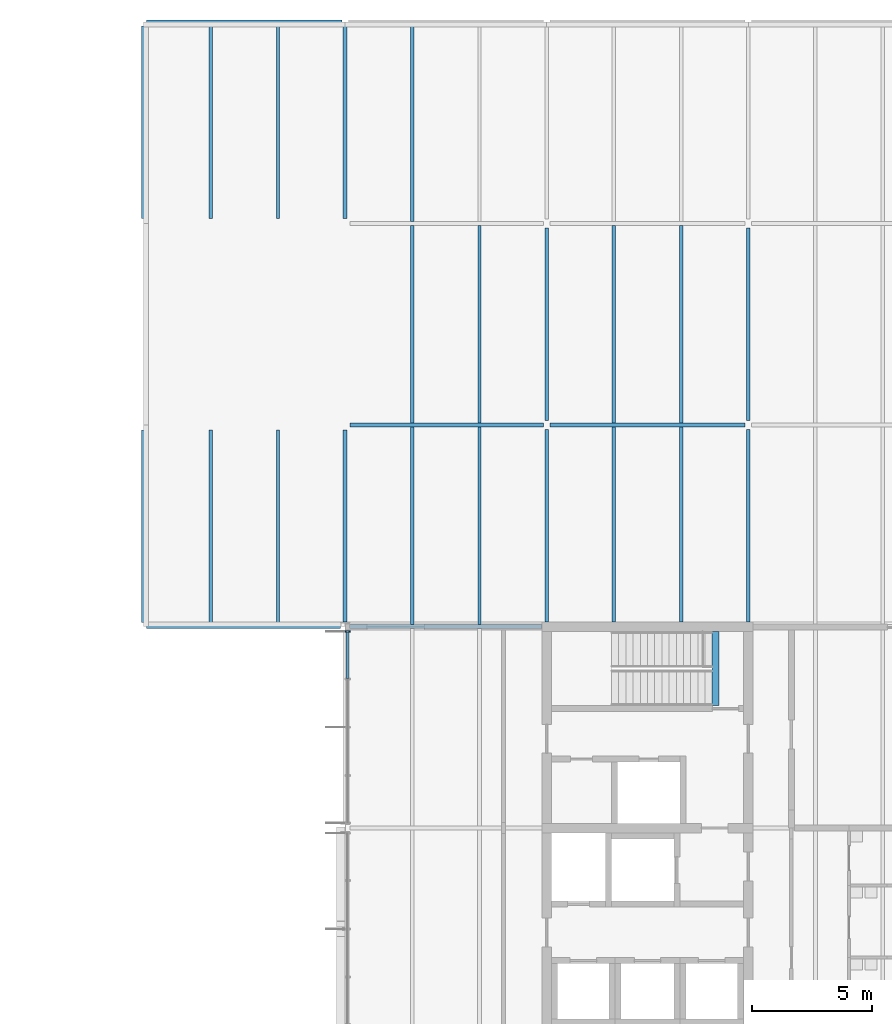
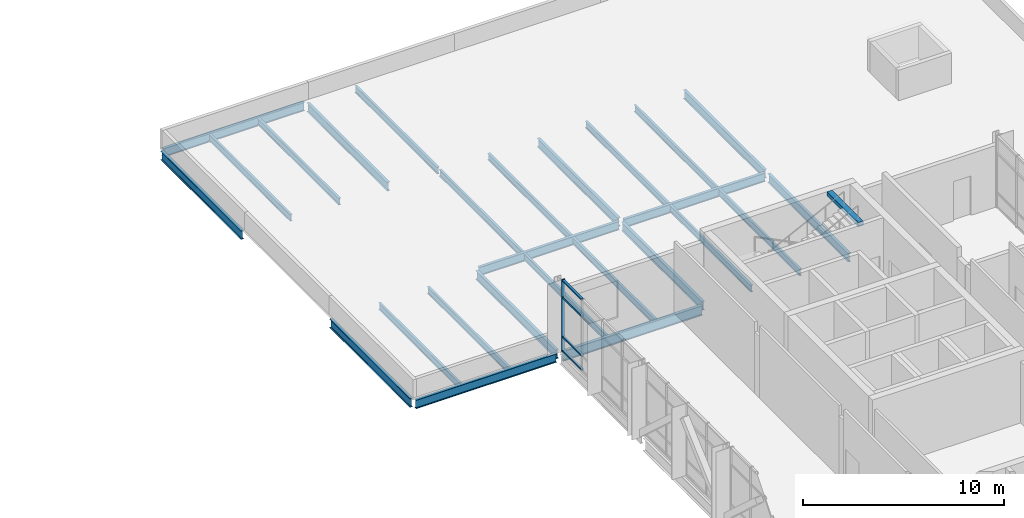
# One storey, part 9 of 26: 27 beams, 5 members, 1 element without a shape of its own.
"""IFC4 building model written with IfcOpenShell, lengths in metres."""

from ifc_helpers import new_model, si_unit, direction, frame, origin, origin_2d, place, context, subcontext, project, spatial, rectangle, i_section, extrude, material, material_profile, profile_set, type_object, element, aggregate, save


model = new_model("IFC4")

# Units and contexts
model_context = context("Model", 3, precision=1e-05, world=origin(), true_north=direction((0.0, 1.0)))
body_context = subcontext(model_context, "Body", "Model", "MODEL_VIEW")
ifc_project = project(units=[si_unit("LENGTHUNIT", "METRE"), si_unit("AREAUNIT", "SQUARE_METRE"), si_unit("VOLUMEUNIT", "CUBIC_METRE"), si_unit("PLANEANGLEUNIT", "RADIAN"), si_unit("MASSUNIT", "GRAM", prefix="KILO")], contexts=[model_context])

# Site, building, storey
site_placement = place(None, origin())
site = spatial("IfcSite", under=ifc_project, at=site_placement, CompositionType="ELEMENT")
building_placement = place(site_placement, origin())
building = spatial("IfcBuilding", under=site, at=building_placement, Name="Hlaing Beacon Police Headquarters", CompositionType="ELEMENT")
storey_placement = place(building_placement, frame((0.0, 0.0, 23.39990234375)))
storey = spatial("IfcBuildingStorey", under=building, at=storey_placement, Name="L05", CompositionType="ELEMENT", Elevation=23.39990234375)

# Beams
ifc_material_1 = material(Name="Steel ASTM A992 Grade 50", Category="steel")
ifc_material_profile_1 = material_profile(ifc_material_1, i_section(OverallWidth=0.1650390625, OverallDepth=0.52587890625, WebThickness=0.0087890625, FlangeThickness=0.011474609375, FilletRadius=0.0126953125, at=origin_2d()), Name="W21x44")
ifc_profile_set_1 = profile_set([ifc_material_profile_1], Name="Steel ASTM A992 Grade 50")
beam_type_1 = type_object("IfcBeamType", Name="Girder W21x44", PredefinedType="BEAM", material=ifc_profile_set_1)
beam_1_placement = place(storey_placement, frame((92.527099609375, 67.199951171875, -0.392822265625), z_axis=(1.0, 0.0, 0.0), x_axis=(0.0, 1.0, 0.0)))
element("IfcBeam", 1, at=beam_1_placement, inside=storey, type_object=beam_type_1, Name="STR-BM-L05-GX-M9-N9", PredefinedType="BEAM", context=body_context, shape_type="SweptSolid", body=[
    extrude(i_section(OverallWidth=0.1650390625, OverallDepth=0.52587890625, WebThickness=0.0087890625, FlangeThickness=0.011474609375, FilletRadius=0.0126953125, at=origin_2d()), origin(), (0.0, 0.0, 1.0), 8.0859375),
])
beam_2_placement = place(storey_placement, frame((101.0, 75.60009765625, -0.392822265625), z_axis=(1.0, 0.0, 0.0), x_axis=(0.0, 1.0, 0.0)))
element("IfcBeam", 2, at=beam_2_placement, inside=storey, type_object=beam_type_1, Name="STR-BM-L05-GX-N10-P10", PredefinedType="BEAM", context=body_context, shape_type="SweptSolid", body=[
    extrude(i_section(OverallWidth=0.1650390625, OverallDepth=0.52587890625, WebThickness=0.0087890625, FlangeThickness=0.011474609375, FilletRadius=0.0126953125, at=origin_2d()), origin(), (0.0, 0.0, 1.0), 8.072021484375),
])
beam_3_placement = place(storey_placement, frame((109.327880859375, 75.60009765625, -0.392822265625), z_axis=(1.0, 0.0, 0.0), x_axis=(0.0, 1.0, 0.0)))
element("IfcBeam", 3, at=beam_3_placement, inside=storey, type_object=beam_type_1, Name="STR-BM-L05-GX-P10-Q10", PredefinedType="BEAM", context=body_context, shape_type="SweptSolid", body=[
    extrude(i_section(OverallWidth=0.1650390625, OverallDepth=0.52587890625, WebThickness=0.0087890625, FlangeThickness=0.011474609375, FilletRadius=0.0126953125, at=origin_2d()), origin(), (0.0, 0.0, 1.0), 8.14404296875),
])
beam_4_placement = place(storey_placement, frame((92.527099609375, 92.39990234375, -0.392822265625), z_axis=(1.0, 0.0, 0.0), x_axis=(0.0, 1.0, 0.0)))
element("IfcBeam", 4, at=beam_4_placement, inside=storey, type_object=beam_type_1, Name="STR-BM-L05-GX-M12-N12", PredefinedType="BEAM", context=body_context, shape_type="SweptSolid", body=[
    extrude(i_section(OverallWidth=0.1650390625, OverallDepth=0.52587890625, WebThickness=0.0087890625, FlangeThickness=0.011474609375, FilletRadius=0.0126953125, at=origin_2d()), origin(), (0.0, 0.0, 1.0), 8.14599609375),
])
for number, where, z_axis, x_axis, name in (
    (5, (92.39990234375, 67.376953125, -0.392822265625), (0.0, 1.0, 0.0), (-1.0, 0.0, 0.0), "STR-BM-L05-GY-M9-M10"),
    (6, (92.39990234375, 84.199951171875, -0.392822265625), (0.0, 1.0, 0.0), (-1.0, 0.0, 0.0), "STR-BM-L05-GY-M11-M12"),
):
    element("IfcBeam", number, at=place(storey_placement, frame(where, z_axis=z_axis, x_axis=x_axis)), inside=storey, type_object=beam_type_1, Name=name, PredefinedType="BEAM", context=body_context, shape_type="SweptSolid", body=[
        extrude(i_section(OverallWidth=0.1650390625, OverallDepth=0.52587890625, WebThickness=0.0087890625, FlangeThickness=0.011474609375, FilletRadius=0.0126953125, at=origin_2d()), origin(), (0.0, 0.0, 1.0), 8.02294921875),
    ])
beam_5_placement = place(storey_placement, frame((100.800048828125, 67.384033203125, -0.392822265625), z_axis=(0.0, 1.0, 0.0), x_axis=(-1.0, 0.0, 0.0)))
element("IfcBeam", 7, at=beam_5_placement, inside=storey, type_object=beam_type_1, Name="STR-BM-L05-GY-N9-N10", PredefinedType="BEAM", context=body_context, shape_type="SweptSolid", body=[
    extrude(i_section(OverallWidth=0.1650390625, OverallDepth=0.52587890625, WebThickness=0.0087890625, FlangeThickness=0.011474609375, FilletRadius=0.0126953125, at=origin_2d()), origin(), (0.0, 0.0, 1.0), 8.015869140625),
])
beam_6_placement = place(storey_placement, frame((100.800048828125, 84.199951171875, -0.392822265625), z_axis=(0.0, 1.0, 0.0), x_axis=(-1.0, 0.0, 0.0)))
element("IfcBeam", 8, at=beam_6_placement, inside=storey, type_object=beam_type_1, Name="STR-BM-L05-GY-N11-N12", PredefinedType="BEAM", context=body_context, shape_type="SweptSolid", body=[
    extrude(i_section(OverallWidth=0.1650390625, OverallDepth=0.52587890625, WebThickness=0.0087890625, FlangeThickness=0.011474609375, FilletRadius=0.0126953125, at=origin_2d()), origin(), (0.0, 0.0, 1.0), 8.02294921875),
])
beam_7_placement = place(storey_placement, frame((109.199951171875, 67.39990234375, -0.392822265625), z_axis=(0.0, 1.0, 0.0), x_axis=(-1.0, 0.0, 0.0)))
element("IfcBeam", 9, at=beam_7_placement, inside=storey, type_object=beam_type_1, Name="STR-BM-L05-GY-P9-P10", PredefinedType="BEAM", context=body_context, shape_type="SweptSolid", body=[
    extrude(i_section(OverallWidth=0.1650390625, OverallDepth=0.52587890625, WebThickness=0.0087890625, FlangeThickness=0.011474609375, FilletRadius=0.0126953125, at=origin_2d()), origin(), (0.0, 0.0, 1.0), 8.02001953125),
])
beam_8_placement = place(storey_placement, frame((109.199951171875, 75.780029296875, -0.392822265625), z_axis=(0.0, 1.0, 0.0), x_axis=(-1.0, 0.0, 0.0)))
element("IfcBeam", 10, at=beam_8_placement, inside=storey, type_object=beam_type_1, Name="STR-BM-L05-GY-P10-P11", PredefinedType="BEAM", context=body_context, shape_type="SweptSolid", body=[
    extrude(i_section(OverallWidth=0.1650390625, OverallDepth=0.52587890625, WebThickness=0.0087890625, FlangeThickness=0.011474609375, FilletRadius=0.0126953125, at=origin_2d()), origin(), (0.0, 0.0, 1.0), 8.0400390625),
])
beam_9_placement = place(storey_placement, frame((117.60009765625, 67.39990234375, -0.392822265625), z_axis=(0.0, 1.0, 0.0), x_axis=(-1.0, 0.0, 0.0)))
element("IfcBeam", 11, at=beam_9_placement, inside=storey, type_object=beam_type_1, Name="STR-BM-L05-GY-Q9-Q10", PredefinedType="BEAM", context=body_context, shape_type="SweptSolid", body=[
    extrude(i_section(OverallWidth=0.1650390625, OverallDepth=0.52587890625, WebThickness=0.0087890625, FlangeThickness=0.011474609375, FilletRadius=0.0126953125, at=origin_2d()), origin(), (0.0, 0.0, 1.0), 8.02001953125),
])
beam_10_placement = place(storey_placement, frame((117.60009765625, 75.780029296875, -0.392822265625), z_axis=(0.0, 1.0, 0.0), x_axis=(-1.0, 0.0, 0.0)))
element("IfcBeam", 12, at=beam_10_placement, inside=storey, type_object=beam_type_1, Name="STR-BM-L05-GY-Q10-Q11", PredefinedType="BEAM", context=body_context, shape_type="SweptSolid", body=[
    extrude(i_section(OverallWidth=0.1650390625, OverallDepth=0.52587890625, WebThickness=0.0087890625, FlangeThickness=0.011474609375, FilletRadius=0.0126953125, at=origin_2d()), origin(), (0.0, 0.0, 1.0), 8.0400390625),
])
ifc_material_2 = material(Name="Steel ASTM A992 Grade 50", Category="steel")
ifc_material_profile_2 = material_profile(ifc_material_2, i_section(OverallWidth=0.177978515625, OverallDepth=0.599365234375, WebThickness=0.010009765625, FlangeThickness=0.012939453125, FilletRadius=0.012939453125, at=origin_2d()), Name="W24x55")
ifc_profile_set_2 = profile_set([ifc_material_profile_2], Name="Steel ASTM A992 Grade 50")
beam_type_2 = type_object("IfcBeamType", Name="Girder W24x55", PredefinedType="BEAM", material=ifc_profile_set_2)
beam_11_placement = place(storey_placement, frame((100.987060546875, 67.199951171875, -0.4296875), z_axis=(1.0, 0.0, 0.0), x_axis=(0.0, 1.0, 0.0)))
element("IfcBeam", 13, at=beam_11_placement, inside=storey, type_object=beam_type_2, Name="STR-BM-L05-GX-N9-P9", PredefinedType="BEAM", context=body_context, shape_type="SweptSolid", body=[
    extrude(i_section(OverallWidth=0.177978515625, OverallDepth=0.599365234375, WebThickness=0.010009765625, FlangeThickness=0.012939453125, FilletRadius=0.012939453125, at=origin_2d()), origin(), (0.0, 0.0, 1.0), 8.012939453125),
])

# Curtain wall, member
ifc_material_3 = material(Name="Aluminium frame with solar control glazing", Category="aluminium")
curtain_wall_type = type_object("IfcCurtainWallType", Name="Unitised curtain wall 8.03 x 4.37", PredefinedType="NOTDEFINED", material=ifc_material_3)
curtain_wall_placement = place(storey_placement, origin())
curtain_wall = element("IfcCurtainWall", 14, at=curtain_wall_placement, inside=storey, type_object=curtain_wall_type, Name="ENV-CW-L05-W005", PredefinedType="NOTDEFINED")
ifc_material_4 = material(Name="Aluminium", Category="aluminium")
ifc_material_profile_3 = material_profile(ifc_material_4, rectangle(XDim=0.199951171875, YDim=0.06005859375, at=origin_2d()), Name="Mullion 60x200")
ifc_profile_set_3 = profile_set([ifc_material_profile_3], Name="Aluminium")
member_type_1 = type_object("IfcMemberType", Name="Mullion 60x200", PredefinedType="MULLION", material=ifc_profile_set_3)
member_1_placement = place(storey_placement, frame((100.89990234375, 66.98828125, 0.0), z_axis=(0.0, 0.0, 1.0), x_axis=(1.0, 0.0, 0.0)))
member_1 = element("IfcMember", 15, at=member_1_placement, type_object=member_type_1, Name="CW-L05-W005 mullion 1", PredefinedType="MULLION", context=body_context, shape_type="SweptSolid", body=[
    extrude(rectangle(XDim=0.199951171875, YDim=0.06005859375, at=origin_2d()), origin(), (0.0, 0.0, 1.0), 4.3701171875),
])

# Beams
ifc_material_5 = material(Name="Steel ASTM A992 Grade 50", Category="steel")
ifc_material_profile_4 = material_profile(ifc_material_5, i_section(OverallWidth=0.1396484375, OverallDepth=0.398681640625, WebThickness=0.00634765625, FlangeThickness=0.0087890625, FilletRadius=0.01025390625, at=origin_2d()), Name="W16x26")
ifc_profile_set_4 = profile_set([ifc_material_profile_4], Name="Steel ASTM A992 Grade 50")
beam_type_3 = type_object("IfcBeamType", Name="Secondary beam W16x26", PredefinedType="BEAM", material=ifc_profile_set_4)
for number, where, z_axis, x_axis, name in (
    (16, (95.199951171875, 67.282958984375, -0.329345703125), (0.0, 1.0, 0.0), (-1.0, 0.0, 0.0), "STR-BM-L05-SB-M9-y1"),
    (17, (98.0, 67.282958984375, -0.329345703125), (0.0, 1.0, 0.0), (-1.0, 0.0, 0.0), "STR-BM-L05-SB-M9-y2"),
    (18, (95.199951171875, 84.199951171875, -0.329345703125), (0.0, 1.0, 0.0), (-1.0, 0.0, 0.0), "STR-BM-L05-SB-M11-y1"),
    (19, (98.0, 84.199951171875, -0.329345703125), (0.0, 1.0, 0.0), (-1.0, 0.0, 0.0), "STR-BM-L05-SB-M11-y2"),
):
    element("IfcBeam", number, at=place(storey_placement, frame(where, z_axis=z_axis, x_axis=x_axis)), inside=storey, type_object=beam_type_3, Name=name, PredefinedType="BEAM", context=body_context, shape_type="SweptSolid", body=[
        extrude(i_section(OverallWidth=0.1396484375, OverallDepth=0.398681640625, WebThickness=0.00634765625, FlangeThickness=0.0087890625, FilletRadius=0.01025390625, at=origin_2d()), origin(), (0.0, 0.0, 1.0), 8.116943359375),
    ])
for number, where, z_axis, x_axis, name in (
    (20, (103.60009765625, 67.2890625, -0.329345703125), (0.0, 1.0, 0.0), (-1.0, 0.0, 0.0), "STR-BM-L05-SB-N9-y1"),
    (21, (106.39990234375, 67.2890625, -0.329345703125), (0.0, 1.0, 0.0), (-1.0, 0.0, 0.0), "STR-BM-L05-SB-N9-y2"),
):
    element("IfcBeam", number, at=place(storey_placement, frame(where, z_axis=z_axis, x_axis=x_axis)), inside=storey, type_object=beam_type_3, Name=name, PredefinedType="BEAM", context=body_context, shape_type="SweptSolid", body=[
        extrude(i_section(OverallWidth=0.1396484375, OverallDepth=0.398681640625, WebThickness=0.00634765625, FlangeThickness=0.0087890625, FilletRadius=0.01025390625, at=origin_2d()), origin(), (0.0, 0.0, 1.0), 8.22802734375),
    ])
for number, where, z_axis, x_axis, name in (
    (22, (103.60009765625, 75.68310546875, -0.329345703125), (0.0, 1.0, 0.0), (-1.0, 0.0, 0.0), "STR-BM-L05-SB-N10-y1"),
    (23, (106.39990234375, 75.68310546875, -0.329345703125), (0.0, 1.0, 0.0), (-1.0, 0.0, 0.0), "STR-BM-L05-SB-N10-y2"),
    (24, (103.60009765625, 84.0830078125, -0.329345703125), (0.0, 1.0, 0.0), (-1.0, 0.0, 0.0), "STR-BM-L05-SB-N11-y1"),
):
    element("IfcBeam", number, at=place(storey_placement, frame(where, z_axis=z_axis, x_axis=x_axis)), inside=storey, type_object=beam_type_3, Name=name, PredefinedType="BEAM", context=body_context, shape_type="SweptSolid", body=[
        extrude(i_section(OverallWidth=0.1396484375, OverallDepth=0.398681640625, WebThickness=0.00634765625, FlangeThickness=0.0087890625, FilletRadius=0.01025390625, at=origin_2d()), origin(), (0.0, 0.0, 1.0), 8.23388671875),
    ])
for number, where, z_axis, x_axis, name in (
    (25, (112.0, 67.39990234375, -0.329345703125), (0.0, 1.0, 0.0), (-1.0, 0.0, 0.0), "STR-BM-L05-SB-P9-y1"),
    (26, (114.800048828125, 67.39990234375, -0.329345703125), (0.0, 1.0, 0.0), (-1.0, 0.0, 0.0), "STR-BM-L05-SB-P9-y2"),
):
    element("IfcBeam", number, at=place(storey_placement, frame(where, z_axis=z_axis, x_axis=x_axis)), inside=storey, type_object=beam_type_3, Name=name, PredefinedType="BEAM", context=body_context, shape_type="SweptSolid", body=[
        extrude(i_section(OverallWidth=0.1396484375, OverallDepth=0.398681640625, WebThickness=0.00634765625, FlangeThickness=0.0087890625, FilletRadius=0.01025390625, at=origin_2d()), origin(), (0.0, 0.0, 1.0), 8.1171875),
    ])
for number, where, z_axis, x_axis, name in (
    (27, (112.0, 75.68310546875, -0.329345703125), (0.0, 1.0, 0.0), (-1.0, 0.0, 0.0), "STR-BM-L05-SB-P10-y1"),
    (28, (114.800048828125, 75.68310546875, -0.329345703125), (0.0, 1.0, 0.0), (-1.0, 0.0, 0.0), "STR-BM-L05-SB-P10-y2"),
):
    element("IfcBeam", number, at=place(storey_placement, frame(where, z_axis=z_axis, x_axis=x_axis)), inside=storey, type_object=beam_type_3, Name=name, PredefinedType="BEAM", context=body_context, shape_type="SweptSolid", body=[
        extrude(i_section(OverallWidth=0.1396484375, OverallDepth=0.398681640625, WebThickness=0.00634765625, FlangeThickness=0.0087890625, FilletRadius=0.01025390625, at=origin_2d()), origin(), (0.0, 0.0, 1.0), 8.23388671875),
    ])
ifc_material_6 = material(Name="Concrete C40/50", Category="concrete")
ifc_material_profile_5 = material_profile(ifc_material_6, rectangle(XDim=0.300048828125, YDim=0.25, at=origin_2d()), Name="Stair arrival beam 300x250")
ifc_profile_set_5 = profile_set([ifc_material_profile_5], Name="Concrete C40/50")
beam_type_4 = type_object("IfcBeamType", Name="Stair arrival beam 300x250", PredefinedType="BEAM", material=ifc_profile_set_5)
beam_12_placement = place(storey_placement, frame((116.239990234375, 67.0, 4.2451171875), z_axis=(0.0, -1.0, 0.0), x_axis=(1.0, 0.0, 0.0)))
element("IfcBeam", 29, at=beam_12_placement, inside=storey, type_object=beam_type_4, Name="Stair arrival beam ST-M", PredefinedType="BEAM", context=body_context, shape_type="SweptSolid", body=[
    extrude(rectangle(XDim=0.300048828125, YDim=0.25, at=origin_2d()), origin(), (0.0, 0.0, 1.0), 3.10009765625),
])

# Member
ifc_material_7 = material(Name="Aluminium", Category="aluminium")
ifc_material_profile_6 = material_profile(ifc_material_7, rectangle(XDim=0.1201171875, YDim=0.10009765625, at=origin_2d()), Name="Transom 120x100")
ifc_profile_set_6 = profile_set([ifc_material_profile_6], Name="Aluminium")
member_type_2 = type_object("IfcMemberType", Name="Transom 120x100", PredefinedType="USERDEFINED", material=ifc_profile_set_6)
member_2_placement = place(storey_placement, frame((100.89990234375, 66.95849609375, 0.050048828125), z_axis=(0.0, -1.0, 0.0), x_axis=(1.0, 0.0, 0.0)))
member_2 = element("IfcMember", 30, at=member_2_placement, type_object=member_type_2, Name="CW-L05-W005 transom 1.1", ObjectType="TRANSOM", PredefinedType="USERDEFINED", context=body_context, shape_type="SweptSolid", body=[
    extrude(rectangle(XDim=0.1201171875, YDim=0.10009765625, at=origin_2d()), origin(), (0.0, 0.0, 1.0), 1.91796875),
])

member_3_placement = place(storey_placement, frame((100.89990234375, 66.95849609375, 0.900146484375), z_axis=(0.0, -1.0, 0.0), x_axis=(1.0, 0.0, 0.0)))
member_3 = element("IfcMember", 31, at=member_3_placement, type_object=member_type_2, Name="CW-L05-W005 transom 1.2", ObjectType="TRANSOM", PredefinedType="USERDEFINED", context=body_context, shape_type="SweptSolid", body=[
    extrude(rectangle(XDim=0.1201171875, YDim=0.10009765625, at=origin_2d()), origin(), (0.0, 0.0, 1.0), 1.91796875),
])

member_4_placement = place(storey_placement, frame((100.89990234375, 66.95849609375, 3.300048828125), z_axis=(0.0, -1.0, 0.0), x_axis=(1.0, 0.0, 0.0)))
member_4 = element("IfcMember", 32, at=member_4_placement, type_object=member_type_2, Name="CW-L05-W005 transom 1.3", ObjectType="TRANSOM", PredefinedType="USERDEFINED", context=body_context, shape_type="SweptSolid", body=[
    extrude(rectangle(XDim=0.1201171875, YDim=0.10009765625, at=origin_2d()), origin(), (0.0, 0.0, 1.0), 1.91796875),
])

member_5_placement = place(storey_placement, frame((100.89990234375, 66.95849609375, 4.320068359375), z_axis=(0.0, -1.0, 0.0), x_axis=(1.0, 0.0, 0.0)))
member_5 = element("IfcMember", 33, at=member_5_placement, type_object=member_type_2, Name="CW-L05-W005 transom 1.4", ObjectType="TRANSOM", PredefinedType="USERDEFINED", context=body_context, shape_type="SweptSolid", body=[
    extrude(rectangle(XDim=0.1201171875, YDim=0.10009765625, at=origin_2d()), origin(), (0.0, 0.0, 1.0), 1.91796875),
])

aggregate(curtain_wall, [member_1, member_2, member_3, member_4, member_5])

save(model, "model.ifc")
